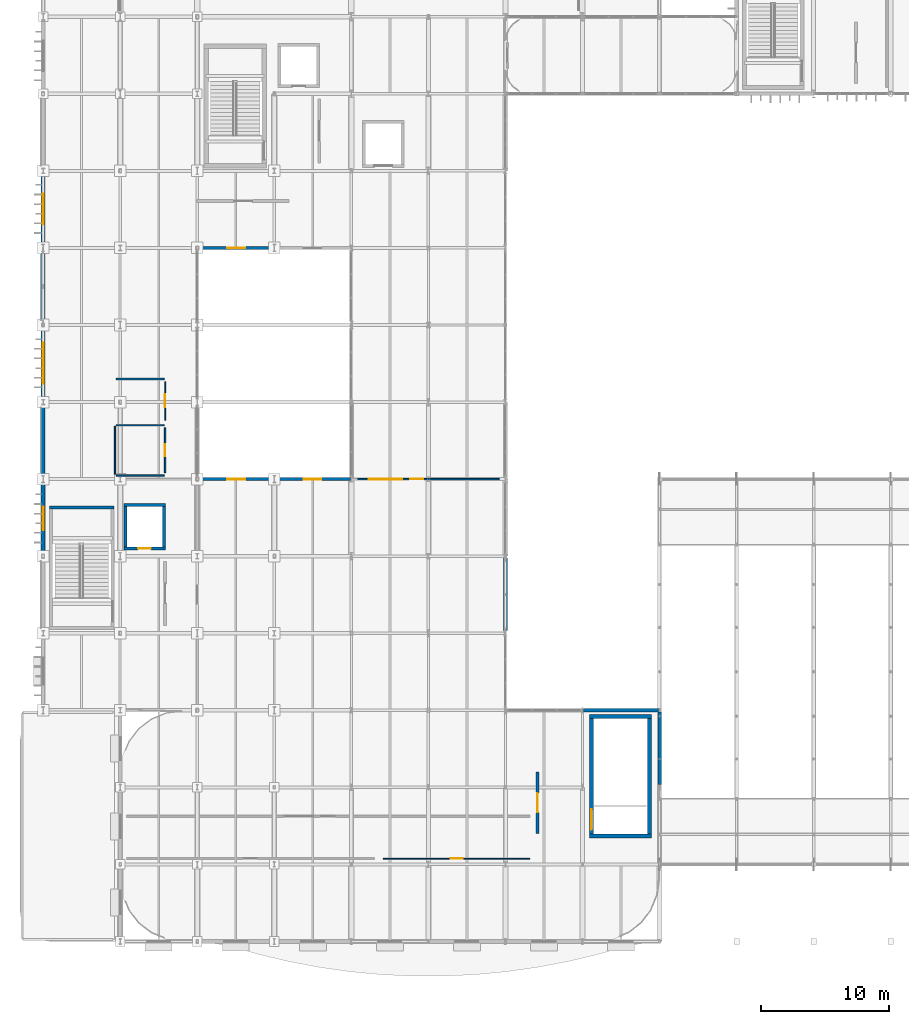
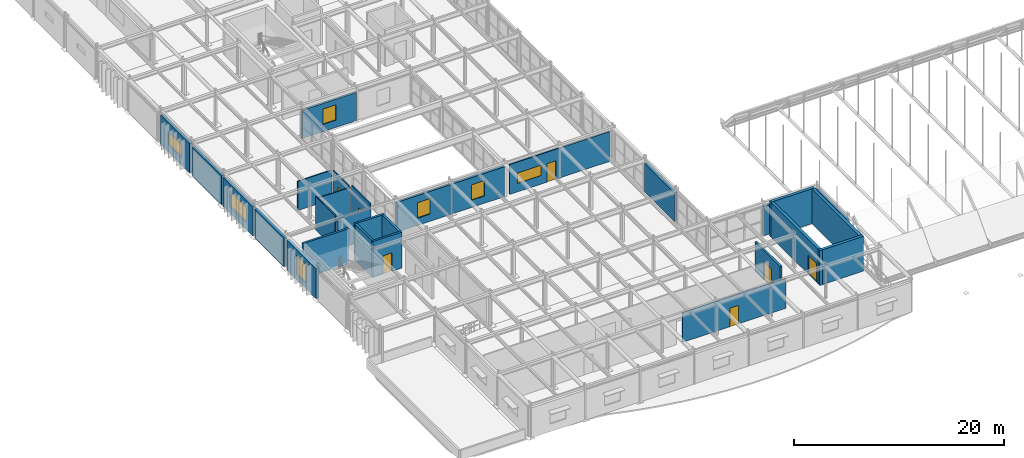
# One storey, part 86 of 116: 29 walls, 7 doors, 7 windows, 14 openings.
"""IFC4 building model written with IfcOpenShell, lengths in metres."""

from ifc_helpers import new_model, si_unit, direction, frame, frame_2d, origin, place, context, subcontext, project, spatial, rectangle, extrude, material, layer, layer_set, type_object, element, fill, save


model = new_model("IFC4")

# Units and contexts
model_context = context("Model", 3, precision=1e-05, world=origin(), true_north=direction((0.0, 1.0)))
body_context = subcontext(model_context, "Body", "Model", "MODEL_VIEW")
ifc_project = project(units=[si_unit("LENGTHUNIT", "METRE"), si_unit("AREAUNIT", "SQUARE_METRE"), si_unit("VOLUMEUNIT", "CUBIC_METRE"), si_unit("PLANEANGLEUNIT", "RADIAN"), si_unit("MASSUNIT", "GRAM", prefix="KILO")], contexts=[model_context])

# Site, building, storey
site_placement = place(None, origin())
site = spatial("IfcSite", under=ifc_project, at=site_placement, CompositionType="ELEMENT")
building_placement = place(site_placement, origin())
building = spatial("IfcBuilding", under=site, at=building_placement, Name="Varnakota Square Police Headquarters", CompositionType="ELEMENT")
storey_placement = place(building_placement, frame((0.0, 0.0, 9.300048828125)))
storey = spatial("IfcBuildingStorey", under=building, at=storey_placement, Name="L02", CompositionType="ELEMENT", Elevation=9.300048828125)

# Wall
ifc_material_1 = material(Name="Concrete M40", Category="concrete")
ifc_layer_1 = layer(ifc_material_1, 0.22998046875, Name="Concrete M40")
ifc_layer_set_1 = layer_set([ifc_layer_1], Name="Concrete M40")
wall_type_1 = type_object("IfcWallType", Name="WL-CORE-230", PredefinedType="SHEAR", material=ifc_layer_set_1)
wall_1_placement = place(storey_placement, frame((11.514892578125, 36.800048828125, 0.0), z_axis=(0.0, 0.0, 1.0), x_axis=(-1.0, 0.0, 0.0)))
element("IfcWall", 1, at=wall_1_placement, inside=storey, type_object=wall_type_1, Name="Core C4 shear wall L02 N", PredefinedType="SHEAR", context=body_context, shape_type="SweptSolid", body=[
    extrude(rectangle(XDim=5.02978515625, YDim=0.22998046875, at=frame_2d((2.514892578125, 0.0))), origin(), (0.0, 0.0, 1.0), 4.06005859375),
])

# Wall, opening, door
wall_2_placement = place(storey_placement, frame((12.284912109375, 33.60009765625, 0.0), z_axis=(0.0, 0.0, 1.0), x_axis=(1.0, 0.0, 0.0)))
wall_2 = element("IfcWall", 2, at=wall_2_placement, inside=storey, type_object=wall_type_1, Name="Lift shaft wall LF-P2 L02 S", PredefinedType="SHEAR", context=body_context, shape_type="SweptSolid", body=[
    extrude(rectangle(XDim=3.22998046875, YDim=0.22998046875, at=frame_2d((1.614990234375, 0.0))), origin(), (0.0, 0.0, 1.0), 4.199951171875),
])
opening_1_placement = place(wall_2_placement, frame((1.114990234375, 0.0, 0.0)))
opening_1 = element("IfcOpeningElement", 3, at=opening_1_placement, cuts=wall_2, Name="Opening LD027", PredefinedType="OPENING", context=body_context, shape_type="SweptSolid", body=[
    extrude(rectangle(XDim=1.0, YDim=2.14990234375, at=frame_2d((0.5, 1.074951171875))), frame((0.0, 0.125, 0.0), z_axis=(0.0, -1.0, 0.0), x_axis=(1.0, 0.0, 0.0)), (0.0, 0.0, 1.0), 0.25),
])
ifc_material_2 = material(Name="Brushed Grade 316 Stainless Steel", Category="steel")
door_type_1 = type_object("IfcDoorType", Name="DR-LD-PAX", OperationType="NOTDEFINED", PredefinedType="DOOR", material=ifc_material_2)
door_1_placement = place(opening_1_placement, origin())
door_1 = element("IfcDoor", 4, at=door_1_placement, inside=storey, type_object=door_type_1, Name="Lift sliding landing door LD027", OperationType="SLIDING_TO_LEFT", OverallHeight=2.14990234375, OverallWidth=1.0, PredefinedType="DOOR", context=body_context, shape_type="SweptSolid", body=[
    extrude(rectangle(XDim=1.0, YDim=2.14990234375, at=frame_2d((0.5, 1.074951171875))), frame((0.0, 0.02490234375, 0.0), z_axis=(0.0, -1.0, 0.0), x_axis=(1.0, 0.0, 0.0)), (0.0, 0.0, 1.0), 0.050048828125),
])
fill(opening_1, door_1)

# Walls
wall_3_placement = place(storey_placement, frame((15.39990234375, 33.485107421875, 0.0), z_axis=(0.0, 0.0, 1.0), x_axis=(0.0, 1.0, 0.0)))
element("IfcWall", 5, at=wall_3_placement, inside=storey, type_object=wall_type_1, Name="Lift shaft wall LF-P2 L02 E", PredefinedType="SHEAR", context=body_context, shape_type="SweptSolid", body=[
    extrude(rectangle(XDim=3.6298828125, YDim=0.22998046875, at=frame_2d((1.81494140625, 0.0))), origin(), (0.0, 0.0, 1.0), 4.199951171875),
])
wall_4_placement = place(storey_placement, frame((15.514892578125, 37.0, 0.0), z_axis=(0.0, 0.0, 1.0), x_axis=(-1.0, 0.0, 0.0)))
element("IfcWall", 6, at=wall_4_placement, inside=storey, type_object=wall_type_1, Name="Lift shaft wall LF-P2 L02 N", PredefinedType="SHEAR", context=body_context, shape_type="SweptSolid", body=[
    extrude(rectangle(XDim=3.22998046875, YDim=0.22998046875, at=frame_2d((1.614990234375, 0.0))), origin(), (0.0, 0.0, 1.0), 4.199951171875),
])
wall_5_placement = place(storey_placement, frame((12.39990234375, 37.114990234375, 0.0), z_axis=(0.0, 0.0, 1.0), x_axis=(0.0, -1.0, 0.0)))
element("IfcWall", 7, at=wall_5_placement, inside=storey, type_object=wall_type_1, Name="Lift shaft wall LF-P2 L02 W", PredefinedType="SHEAR", context=body_context, shape_type="SweptSolid", body=[
    extrude(rectangle(XDim=3.6298828125, YDim=0.22998046875, at=frame_2d((1.81494140625, 0.0))), origin(), (0.0, 0.0, 1.0), 4.199951171875),
])
ifc_material_3 = material(Name="Concrete M50", Category="concrete")
ifc_layer_2 = layer(ifc_material_3, 0.31005859375, Name="Concrete M50")
ifc_layer_set_2 = layer_set([ifc_layer_2], Name="Concrete M50")
wall_type_2 = type_object("IfcWallType", Name="WL-CORE-310", PredefinedType="SHEAR", material=ifc_layer_set_2)
wall_6_placement = place(storey_placement, frame((48.544921875, 11.199951171875, 0.0), z_axis=(0.0, 0.0, 1.0), x_axis=(1.0, 0.0, 0.0)))
element("IfcWall", 8, at=wall_6_placement, inside=storey, type_object=wall_type_2, Name="Core C10 shear wall L02 S", PredefinedType="SHEAR", context=body_context, shape_type="SweptSolid", body=[
    extrude(rectangle(XDim=4.81005859375, YDim=0.31005859375, at=frame_2d((2.405029296875, 0.0))), origin(), (0.0, 0.0, 1.0), 4.06005859375),
])
wall_7_placement = place(storey_placement, frame((53.199951171875, 11.044921875, 0.0), z_axis=(0.0, 0.0, 1.0), x_axis=(0.0, 1.0, 0.0)))
element("IfcWall", 9, at=wall_7_placement, inside=storey, type_object=wall_type_2, Name="Core C10 shear wall L02 E", PredefinedType="SHEAR", context=body_context, shape_type="SweptSolid", body=[
    extrude(rectangle(XDim=9.610107421875, YDim=0.31005859375, at=frame_2d((4.80517578125, 0.0))), origin(), (0.0, 0.0, 1.0), 4.06005859375),
])
wall_8_placement = place(storey_placement, frame((53.35498046875, 20.5, 0.0), z_axis=(0.0, 0.0, 1.0), x_axis=(-1.0, 0.0, 0.0)))
element("IfcWall", 10, at=wall_8_placement, inside=storey, type_object=wall_type_2, Name="Core C10 shear wall L02 N", PredefinedType="SHEAR", context=body_context, shape_type="SweptSolid", body=[
    extrude(rectangle(XDim=4.81005859375, YDim=0.31005859375, at=frame_2d((2.405029296875, 0.0))), origin(), (0.0, 0.0, 1.0), 4.06005859375),
])

# Wall, opening, door
wall_9_placement = place(storey_placement, frame((48.699951171875, 20.655029296875, 0.0), z_axis=(0.0, 0.0, 1.0), x_axis=(0.0, -1.0, 0.0)))
wall_9 = element("IfcWall", 11, at=wall_9_placement, inside=storey, type_object=wall_type_2, Name="Core C10 shear wall L02 W", PredefinedType="SHEAR", context=body_context, shape_type="SweptSolid", body=[
    extrude(rectangle(XDim=9.610107421875, YDim=0.31005859375, at=frame_2d((4.80517578125, 0.0))), origin(), (0.0, 0.0, 1.0), 4.06005859375),
])
opening_2_placement = place(wall_9_placement, frame((7.375, 0.0, 0.0)))
opening_2 = element("IfcOpeningElement", 12, at=opening_2_placement, cuts=wall_9, Name="Opening SD133", PredefinedType="OPENING", context=body_context, shape_type="SweptSolid", body=[
    extrude(rectangle(XDim=1.60009765625, YDim=2.199951171875, at=frame_2d((0.800048828125, 1.10009765625))), frame((0.0, 0.1650390625, 0.0), z_axis=(0.0, -1.0, 0.0), x_axis=(1.0, 0.0, 0.0)), (0.0, 0.0, 1.0), 0.330078125),
])
ifc_material_4 = material(Name="Powder-Coated Galvanised Steel", Category="steel")
door_type_2 = type_object("IfcDoorType", Name="DR-ST-160", OperationType="NOTDEFINED", PredefinedType="DOOR", material=ifc_material_4)
door_2_placement = place(opening_2_placement, origin())
door_2 = element("IfcDoor", 13, at=door_2_placement, inside=storey, type_object=door_type_2, Name="Protected stair door SD133", OperationType="DOUBLE_DOOR_SINGLE_SWING", OverallHeight=2.199951171875, OverallWidth=1.60009765625, PredefinedType="DOOR", context=body_context, shape_type="SweptSolid", body=[
    extrude(rectangle(XDim=1.60009765625, YDim=2.199951171875, at=frame_2d((0.800048828125, 1.10009765625))), frame((0.0, 0.02490234375, 0.0), z_axis=(0.0, -1.0, 0.0), x_axis=(1.0, 0.0, 0.0)), (0.0, 0.0, 1.0), 0.050048828125),
])
fill(opening_2, door_2)

# Wall, opening, window
ifc_layer_3 = layer(ifc_material_1, 0.239990234375, Name="Concrete M40")
ifc_layer_set_3 = layer_set([ifc_layer_3], Name="Concrete M40")
wall_type_3 = type_object("IfcWallType", Name="WL-EXT-240", PredefinedType="SOLIDWALL", material=ifc_layer_set_3)
wall_10_placement = place(storey_placement, frame((18.050048828125, 39.0, 0.0), z_axis=(0.0, 0.0, 1.0), x_axis=(1.0, 0.0, 0.0)))
wall_10 = element("IfcWall", 14, at=wall_10_placement, inside=storey, type_object=wall_type_3, Name="Court exterior wall EW-L02-0422", PredefinedType="SOLIDWALL", context=body_context, shape_type="SweptSolid", body=[
    extrude(rectangle(XDim=5.949951171875, YDim=0.239990234375, at=frame_2d((2.97509765625, 0.0))), origin(), (0.0, 0.0, 1.0), 3.483642578125),
])
opening_3_placement = place(wall_10_placement, frame((2.27490234375, 0.0, 0.85009765625)))
opening_3 = element("IfcOpeningElement", 15, at=opening_3_placement, cuts=wall_10, Name="Opening W16", PredefinedType="OPENING", context=body_context, shape_type="SweptSolid", body=[
    extrude(rectangle(XDim=1.39990234375, YDim=1.800048828125, at=frame_2d((0.699951171875, 0.89990234375))), frame((0.0, 0.1298828125, 0.0), z_axis=(0.0, -1.0, 0.0), x_axis=(1.0, 0.0, 0.0)), (0.0, 0.0, 1.0), 0.260009765625),
])
ifc_material_5 = material(Name="Thermally Broken Aluminium Double-Glazed Window", Category="aluminium")
window_type_1 = type_object("IfcWindowType", Name="WIN-16", PartitioningType="SINGLE_PANEL", PredefinedType="WINDOW", material=ifc_material_5)
window_1_placement = place(opening_3_placement, origin())
window_1 = element("IfcWindow", 16, at=window_1_placement, inside=storey, type_object=window_type_1, Name="Window WN-L02-0085", OverallHeight=1.800048828125, OverallWidth=1.39990234375, PartitioningType="SINGLE_PANEL", PredefinedType="WINDOW", context=body_context, shape_type="SweptSolid", body=[
    extrude(rectangle(XDim=1.39990234375, YDim=1.800048828125, at=frame_2d((0.699951171875, 0.89990234375))), frame((0.0, 0.030029296875, 0.0), z_axis=(0.0, -1.0, 0.0), x_axis=(1.0, 0.0, 0.0)), (0.0, 0.0, 1.0), 0.06005859375),
])
fill(opening_3, window_1)

wall_11_placement = place(storey_placement, frame((18.050048828125, 57.0, 0.0), z_axis=(0.0, 0.0, 1.0), x_axis=(1.0, 0.0, 0.0)))
wall_11 = element("IfcWall", 17, at=wall_11_placement, inside=storey, type_object=wall_type_3, Name="Court exterior wall EW-L02-0423", PredefinedType="SOLIDWALL", context=body_context, shape_type="SweptSolid", body=[
    extrude(rectangle(XDim=5.949951171875, YDim=0.239990234375, at=frame_2d((2.97509765625, 0.0))), origin(), (0.0, 0.0, 1.0), 3.2900390625),
])
opening_4_placement = place(wall_11_placement, frame((2.27490234375, 0.0, 0.85009765625)))
opening_4 = element("IfcOpeningElement", 18, at=opening_4_placement, cuts=wall_11, Name="Opening W16", PredefinedType="OPENING", context=body_context, shape_type="SweptSolid", body=[
    extrude(rectangle(XDim=1.39990234375, YDim=1.800048828125, at=frame_2d((0.699951171875, 0.89990234375))), frame((0.0, 0.1298828125, 0.0), z_axis=(0.0, -1.0, 0.0), x_axis=(1.0, 0.0, 0.0)), (0.0, 0.0, 1.0), 0.260009765625),
])
window_2_placement = place(opening_4_placement, origin())
window_2 = element("IfcWindow", 19, at=window_2_placement, inside=storey, type_object=window_type_1, Name="Window WN-L02-0086", OverallHeight=1.800048828125, OverallWidth=1.39990234375, PartitioningType="SINGLE_PANEL", PredefinedType="WINDOW", context=body_context, shape_type="SweptSolid", body=[
    extrude(rectangle(XDim=1.39990234375, YDim=1.800048828125, at=frame_2d((0.699951171875, 0.89990234375))), frame((0.0, 0.030029296875, 0.0), z_axis=(0.0, -1.0, 0.0), x_axis=(1.0, 0.0, 0.0)), (0.0, 0.0, 1.0), 0.06005859375),
])
fill(opening_4, window_2)

wall_12_placement = place(storey_placement, frame((24.0, 39.0, 0.0), z_axis=(0.0, 0.0, 1.0), x_axis=(1.0, 0.0, 0.0)))
wall_12 = element("IfcWall", 20, at=wall_12_placement, inside=storey, type_object=wall_type_3, Name="Court exterior wall EW-L02-0424", PredefinedType="SOLIDWALL", context=body_context, shape_type="SweptSolid", body=[
    extrude(rectangle(XDim=5.949951171875, YDim=0.239990234375, at=frame_2d((2.97509765625, 0.0))), origin(), (0.0, 0.0, 1.0), 3.483642578125),
])
opening_5_placement = place(wall_12_placement, frame((2.27490234375, 0.0, 0.85009765625)))
opening_5 = element("IfcOpeningElement", 21, at=opening_5_placement, cuts=wall_12, Name="Opening W16", PredefinedType="OPENING", context=body_context, shape_type="SweptSolid", body=[
    extrude(rectangle(XDim=1.39990234375, YDim=1.800048828125, at=frame_2d((0.699951171875, 0.89990234375))), frame((0.0, 0.1298828125, 0.0), z_axis=(0.0, -1.0, 0.0), x_axis=(1.0, 0.0, 0.0)), (0.0, 0.0, 1.0), 0.260009765625),
])
window_3_placement = place(opening_5_placement, origin())
window_3 = element("IfcWindow", 22, at=window_3_placement, inside=storey, type_object=window_type_1, Name="Window WN-L02-0087", OverallHeight=1.800048828125, OverallWidth=1.39990234375, PartitioningType="SINGLE_PANEL", PredefinedType="WINDOW", context=body_context, shape_type="SweptSolid", body=[
    extrude(rectangle(XDim=1.39990234375, YDim=1.800048828125, at=frame_2d((0.699951171875, 0.89990234375))), frame((0.0, 0.030029296875, 0.0), z_axis=(0.0, -1.0, 0.0), x_axis=(1.0, 0.0, 0.0)), (0.0, 0.0, 1.0), 0.06005859375),
])
fill(opening_5, window_3)

# Walls
ifc_layer_4 = layer(ifc_material_1, 0.280029296875, Name="Concrete M40")
ifc_layer_set_4 = layer_set([ifc_layer_4], Name="Concrete M40")
wall_type_4 = type_object("IfcWallType", Name="WL-EXT-280", PredefinedType="SOLIDWALL", material=ifc_layer_set_4)
wall_13_placement = place(storey_placement, frame((48.073974609375, 21.0, 0.0), z_axis=(0.0, 0.0, 1.0), x_axis=(1.0, 0.0, 0.0)))
element("IfcWall", 23, at=wall_13_placement, inside=storey, type_object=wall_type_4, Name="Exterior wall EW-L02-0099", PredefinedType="SOLIDWALL", context=body_context, shape_type="SweptSolid", body=[
    extrude(rectangle(XDim=5.846923828125, YDim=0.280029296875, at=frame_2d((2.92333984375, 0.0))), origin(), (0.0, 0.0, 1.0), 3.389892578125),
])
wall_14_placement = place(storey_placement, frame((54.0, 15.2041015625, 0.0), z_axis=(0.0, 0.0, 1.0), x_axis=(0.0, 1.0, 0.0)))
element("IfcWall", 24, at=wall_14_placement, inside=storey, type_object=wall_type_4, Name="Exterior wall EW-L02-0103", PredefinedType="SOLIDWALL", context=body_context, shape_type="SweptSolid", body=[
    extrude(rectangle(XDim=5.6669921875, YDim=0.280029296875, at=frame_2d((2.83349609375, 0.0))), origin(), (0.0, 0.0, 1.0), 3.389892578125),
])
wall_15_placement = place(storey_placement, frame((42.0, 27.2041015625, 0.0), z_axis=(0.0, 0.0, 1.0), x_axis=(0.0, 1.0, 0.0)))
element("IfcWall", 25, at=wall_15_placement, inside=storey, type_object=wall_type_4, Name="Exterior wall EW-L02-0414", PredefinedType="SOLIDWALL", context=body_context, shape_type="SweptSolid", body=[
    extrude(rectangle(XDim=5.641845703125, YDim=0.280029296875, at=frame_2d((2.82080078125, 0.0))), origin(), (0.0, 0.0, 1.0), 3.33984375),
])

# Wall, opening, window
ifc_material_6 = material(Name="Precast concrete M40", Category="concrete")
ifc_layer_5 = layer(ifc_material_6, 0.320068359375, Name="Precast concrete M40")
ifc_layer_set_5 = layer_set([ifc_layer_5], Name="Precast concrete M40")
wall_type_5 = type_object("IfcWallType", Name="WL-EXT-320", PredefinedType="SOLIDWALL", material=ifc_layer_set_5)
wall_16_placement = place(storey_placement, frame((6.0, 33.154052734375, 0.0), z_axis=(0.0, 0.0, 1.0), x_axis=(0.0, 1.0, 0.0)))
wall_16 = element("IfcWall", 26, at=wall_16_placement, inside=storey, type_object=wall_type_5, Name="Exterior wall EW-L02-0415", PredefinedType="SOLIDWALL", context=body_context, shape_type="SweptSolid", body=[
    extrude(rectangle(XDim=5.56689453125, YDim=0.320068359375, at=frame_2d((2.783447265625, 0.0))), origin(), (0.0, 0.0, 1.0), 3.483642578125),
])
opening_6_placement = place(wall_16_placement, frame((1.883544921875, 0.0, 0.60009765625)))
opening_6 = element("IfcOpeningElement", 27, at=opening_6_placement, cuts=wall_16, Name="Opening W11", PredefinedType="OPENING", context=body_context, shape_type="SweptSolid", body=[
    extrude(rectangle(XDim=1.800048828125, YDim=2.199951171875, at=frame_2d((0.89990234375, 1.10009765625))), frame((0.0, 0.169921875, 0.0), z_axis=(0.0, -1.0, 0.0), x_axis=(1.0, 0.0, 0.0)), (0.0, 0.0, 1.0), 0.340087890625),
])
window_type_2 = type_object("IfcWindowType", Name="WIN-11", PartitioningType="SINGLE_PANEL", PredefinedType="WINDOW", material=ifc_material_5)
window_4_placement = place(opening_6_placement, origin())
window_4 = element("IfcWindow", 28, at=window_4_placement, inside=storey, type_object=window_type_2, Name="Window WN-L02-0081", OverallHeight=2.199951171875, OverallWidth=1.800048828125, PartitioningType="SINGLE_PANEL", PredefinedType="WINDOW", context=body_context, shape_type="SweptSolid", body=[
    extrude(rectangle(XDim=1.800048828125, YDim=2.199951171875, at=frame_2d((0.89990234375, 1.10009765625))), frame((0.0, 0.030029296875, 0.0), z_axis=(0.0, -1.0, 0.0), x_axis=(1.0, 0.0, 0.0)), (0.0, 0.0, 1.0), 0.06005859375),
])
fill(opening_6, window_4)

# Wall
wall_17_placement = place(storey_placement, frame((6.0, 39.279052734375, 0.0), z_axis=(0.0, 0.0, 1.0), x_axis=(0.0, 1.0, 0.0)))
element("IfcWall", 29, at=wall_17_placement, inside=storey, type_object=wall_type_5, Name="Exterior wall EW-L02-0416", PredefinedType="SOLIDWALL", context=body_context, shape_type="SweptSolid", body=[
    extrude(rectangle(XDim=5.516845703125, YDim=0.320068359375, at=frame_2d((2.75830078125, 0.0))), origin(), (0.0, 0.0, 1.0), 3.389892578125),
])

# Wall, opening, window
wall_18_placement = place(storey_placement, frame((6.0, 45.2041015625, 0.0), z_axis=(0.0, 0.0, 1.0), x_axis=(0.0, 1.0, 0.0)))
wall_18 = element("IfcWall", 30, at=wall_18_placement, inside=storey, type_object=wall_type_5, Name="Exterior wall EW-L02-0417", PredefinedType="SOLIDWALL", context=body_context, shape_type="SweptSolid", body=[
    extrude(rectangle(XDim=5.641845703125, YDim=0.320068359375, at=frame_2d((2.82080078125, 0.0))), origin(), (0.0, 0.0, 1.0), 3.389892578125),
])
opening_7_placement = place(wall_18_placement, frame((1.220947265625, 0.0, 0.800048828125)))
opening_7 = element("IfcOpeningElement", 31, at=opening_7_placement, cuts=wall_18, Name="Opening W15", PredefinedType="OPENING", context=body_context, shape_type="SweptSolid", body=[
    extrude(rectangle(XDim=3.199951171875, YDim=1.800048828125, at=frame_2d((1.60009765625, 0.89990234375))), frame((0.0, 0.169921875, 0.0), z_axis=(0.0, -1.0, 0.0), x_axis=(1.0, 0.0, 0.0)), (0.0, 0.0, 1.0), 0.340087890625),
])
window_type_3 = type_object("IfcWindowType", Name="WIN-15", PartitioningType="SINGLE_PANEL", PredefinedType="WINDOW", material=ifc_material_5)
window_5_placement = place(opening_7_placement, origin())
window_5 = element("IfcWindow", 32, at=window_5_placement, inside=storey, type_object=window_type_3, Name="Window WN-L02-0082", OverallHeight=1.800048828125, OverallWidth=3.199951171875, PartitioningType="SINGLE_PANEL", PredefinedType="WINDOW", context=body_context, shape_type="SweptSolid", body=[
    extrude(rectangle(XDim=3.199951171875, YDim=1.800048828125, at=frame_2d((1.60009765625, 0.89990234375))), frame((0.0, 0.030029296875, 0.0), z_axis=(0.0, -1.0, 0.0), x_axis=(1.0, 0.0, 0.0)), (0.0, 0.0, 1.0), 0.06005859375),
])
fill(opening_7, window_5)

# Wall
wall_19_placement = place(storey_placement, frame((6.0, 51.154052734375, 0.0), z_axis=(0.0, 0.0, 1.0), x_axis=(0.0, 1.0, 0.0)))
element("IfcWall", 33, at=wall_19_placement, inside=storey, type_object=wall_type_5, Name="Exterior wall EW-L02-0418", PredefinedType="SOLIDWALL", context=body_context, shape_type="SweptSolid", body=[
    extrude(rectangle(XDim=5.56689453125, YDim=0.320068359375, at=frame_2d((2.783447265625, 0.0))), origin(), (0.0, 0.0, 1.0), 3.389892578125),
])

# Wall, opening, window
wall_20_placement = place(storey_placement, frame((6.0, 57.279052734375, 0.0), z_axis=(0.0, 0.0, 1.0), x_axis=(0.0, 1.0, 0.0)))
wall_20 = element("IfcWall", 34, at=wall_20_placement, inside=storey, type_object=wall_type_5, Name="Exterior wall EW-L02-0419", PredefinedType="SOLIDWALL", context=body_context, shape_type="SweptSolid", body=[
    extrude(rectangle(XDim=5.516845703125, YDim=0.320068359375, at=frame_2d((2.75830078125, 0.0))), origin(), (0.0, 0.0, 1.0), 3.43994140625),
])
opening_8_placement = place(wall_20_placement, frame((1.55859375, 0.0, 0.89990234375)))
opening_8 = element("IfcOpeningElement", 35, at=opening_8_placement, cuts=wall_20, Name="Opening W02", PredefinedType="OPENING", context=body_context, shape_type="SweptSolid", body=[
    extrude(rectangle(XDim=2.39990234375, YDim=1.5, at=frame_2d((1.199951171875, 0.75))), frame((0.0, 0.169921875, 0.0), z_axis=(0.0, -1.0, 0.0), x_axis=(1.0, 0.0, 0.0)), (0.0, 0.0, 1.0), 0.340087890625),
])
window_type_4 = type_object("IfcWindowType", Name="WIN-02", PartitioningType="SINGLE_PANEL", PredefinedType="WINDOW", material=ifc_material_5)
window_6_placement = place(opening_8_placement, origin())
window_6 = element("IfcWindow", 36, at=window_6_placement, inside=storey, type_object=window_type_4, Name="Window WN-L02-0083", OverallHeight=1.5, OverallWidth=2.39990234375, PartitioningType="SINGLE_PANEL", PredefinedType="WINDOW", context=body_context, shape_type="SweptSolid", body=[
    extrude(rectangle(XDim=2.39990234375, YDim=1.5, at=frame_2d((1.199951171875, 0.75))), frame((0.0, 0.030029296875, 0.0), z_axis=(0.0, -1.0, 0.0), x_axis=(1.0, 0.0, 0.0)), (0.0, 0.0, 1.0), 0.06005859375),
])
fill(opening_8, window_6)

# Wall, opening, door
ifc_material_7 = material(Name="Lightweight Demountable Office Partition", Category="gypsum")
ifc_layer_6 = layer(ifc_material_7, 0.094970703125, Name="Lightweight Demountable Office Partition")
ifc_layer_set_6 = layer_set([ifc_layer_6], Name="Lightweight Demountable Office Partition")
wall_type_6 = type_object("IfcWallType", Name="WL-PRT-095", PredefinedType="PARTITIONING", material=ifc_layer_set_6)
wall_21_placement = place(storey_placement, frame((15.5, 46.60009765625, 0.0), z_axis=(0.0, 0.0, 1.0), x_axis=(0.0, -1.0, 0.0)))
wall_21 = element("IfcWall", 37, at=wall_21_placement, inside=storey, type_object=wall_type_6, Name="Interior partition PW-L02-0131 (L02 Accessible WC West)", PredefinedType="PARTITIONING", context=body_context, shape_type="SweptSolid", body=[
    extrude(rectangle(XDim=3.0, YDim=0.094970703125, at=frame_2d((1.5, 0.0))), origin(), (0.0, 0.0, 1.0), 3.489990234375),
])
opening_9_placement = place(wall_21_placement, frame((1.0, 0.0, 0.0)))
opening_9 = element("IfcOpeningElement", 38, at=opening_9_placement, cuts=wall_21, Name="Opening D218", PredefinedType="OPENING", context=body_context, shape_type="SweptSolid", body=[
    extrude(rectangle(XDim=1.0, YDim=2.10009765625, at=frame_2d((0.5, 1.050048828125))), frame((0.0, 0.057373046875, 0.0), z_axis=(0.0, -1.0, 0.0), x_axis=(1.0, 0.0, 0.0)), (0.0, 0.0, 1.0), 0.114990234375),
])
ifc_material_8 = material(Name="Antimicrobial High-Pressure Compact Laminate")
door_type_3 = type_object("IfcDoorType", Name="DR-WCA-100", OperationType="NOTDEFINED", PredefinedType="DOOR", material=ifc_material_8)
door_3_placement = place(opening_9_placement, origin())
door_3 = element("IfcDoor", 39, at=door_3_placement, inside=storey, type_object=door_type_3, Name="Room door D218 (L02 Accessible WC West)", OperationType="SINGLE_SWING_LEFT", OverallHeight=2.10009765625, OverallWidth=1.0, PredefinedType="DOOR", context=body_context, shape_type="SweptSolid", body=[
    extrude(rectangle(XDim=1.0, YDim=2.10009765625, at=frame_2d((0.5, 1.050048828125))), frame((0.0, 0.02490234375, 0.0), z_axis=(0.0, -1.0, 0.0), x_axis=(1.0, 0.0, 0.0)), (0.0, 0.0, 1.0), 0.050048828125),
])
fill(opening_9, door_3)

wall_22_placement = place(storey_placement, frame((32.5, 9.449951171875, 0.0), z_axis=(0.0, 0.0, 1.0), x_axis=(1.0, 0.0, 0.0)))
wall_22 = element("IfcWall", 40, at=wall_22_placement, inside=storey, type_object=wall_type_6, Name="Interior partition PW-L02-0133 (Citizen Information and Gazette Office)", PredefinedType="PARTITIONING", context=body_context, shape_type="SweptSolid", body=[
    extrude(rectangle(XDim=11.39990234375, YDim=0.094970703125, at=frame_2d((5.699951171875, 0.0))), origin(), (0.0, 0.0, 1.0), 3.489990234375),
])
opening_10_placement = place(wall_22_placement, frame((5.22509765625, 0.0, 0.0)))
opening_10 = element("IfcOpeningElement", 41, at=opening_10_placement, cuts=wall_22, Name="Opening D220", PredefinedType="OPENING", context=body_context, shape_type="SweptSolid", body=[
    extrude(rectangle(XDim=0.949951171875, YDim=2.14990234375, at=frame_2d((0.47509765625, 1.074951171875))), frame((0.0, 0.057373046875, 0.0), z_axis=(0.0, -1.0, 0.0), x_axis=(1.0, 0.0, 0.0)), (0.0, 0.0, 1.0), 0.114990234375),
])
ifc_material_9 = material(Name="Solid-Core Teak Veneer Hardwood", Category="wood")
door_type_4 = type_object("IfcDoorType", Name="DR-OFF-095", OperationType="NOTDEFINED", PredefinedType="DOOR", material=ifc_material_9)
door_4_placement = place(opening_10_placement, origin())
door_4 = element("IfcDoor", 42, at=door_4_placement, inside=storey, type_object=door_type_4, Name="Room door D220 (Citizen Information and Gazette Office)", OperationType="SINGLE_SWING_LEFT", OverallHeight=2.14990234375, OverallWidth=0.949951171875, PredefinedType="DOOR", context=body_context, shape_type="SweptSolid", body=[
    extrude(rectangle(XDim=0.949951171875, YDim=2.14990234375, at=frame_2d((0.47509765625, 1.074951171875))), frame((0.0, 0.02490234375, 0.0), z_axis=(0.0, -1.0, 0.0), x_axis=(1.0, 0.0, 0.0)), (0.0, 0.0, 1.0), 0.050048828125),
])
fill(opening_10, door_4)

# Walls
wall_23_placement = place(storey_placement, frame((11.679931640625, 43.199951171875, 0.0), z_axis=(0.0, 0.0, 1.0), x_axis=(1.0, 0.0, 0.0)))
element("IfcWall", 43, at=wall_23_placement, inside=storey, type_object=wall_type_6, Name="Interior dividing partition PW-L02-0162 (L02 Forensic Staff Washroom WC)", PredefinedType="PARTITIONING", context=body_context, shape_type="SweptSolid", body=[
    extrude(rectangle(XDim=3.739990234375, YDim=0.094970703125, at=frame_2d((1.8701171875, 0.0))), origin(), (0.0, 0.0, 1.0), 3.566162109375),
])
ifc_material_10 = material(Name="Glazed Clean-Lab Modular Partition", Category="gypsum")
ifc_layer_7 = layer(ifc_material_10, 0.10498046875, Name="Glazed Clean-Lab Modular Partition")
ifc_layer_set_7 = layer_set([ifc_layer_7], Name="Glazed Clean-Lab Modular Partition")
wall_type_7 = type_object("IfcWallType", Name="WL-PRT-105", PredefinedType="PARTITIONING", material=ifc_layer_set_7)
wall_24_placement = place(storey_placement, frame((11.60009765625, 39.3798828125, 0.0), z_axis=(0.0, 0.0, 1.0), x_axis=(0.0, 1.0, 0.0)))
element("IfcWall", 44, at=wall_24_placement, inside=storey, type_object=wall_type_7, Name="Interior dividing partition PW-L02-0161 (L02 Forensic Staff Washroom WC)", PredefinedType="PARTITIONING", context=body_context, shape_type="SweptSolid", body=[
    extrude(rectangle(XDim=3.740234375, YDim=0.10498046875, at=frame_2d((1.8701171875, 0.0))), origin(), (0.0, 0.0, 1.0), 3.889892578125),
])

# Wall, opening, door
ifc_material_11 = material(Name="Moisture-Resistant Tile-Backed Partition", Category="gypsum")
ifc_layer_8 = layer(ifc_material_11, 0.114990234375, Name="Moisture-Resistant Tile-Backed Partition")
ifc_layer_set_8 = layer_set([ifc_layer_8], Name="Moisture-Resistant Tile-Backed Partition")
wall_type_8 = type_object("IfcWallType", Name="WL-PRT-115", PredefinedType="PARTITIONING", material=ifc_layer_set_8)
wall_25_placement = place(storey_placement, frame((15.5, 43.0, 0.0), z_axis=(0.0, 0.0, 1.0), x_axis=(0.0, -1.0, 0.0)))
wall_25 = element("IfcWall", 45, at=wall_25_placement, inside=storey, type_object=wall_type_8, Name="Interior partition PW-L02-0130 (L02 Forensic Staff Washroom WC)", PredefinedType="PARTITIONING", context=body_context, shape_type="SweptSolid", body=[
    extrude(rectangle(XDim=3.5, YDim=0.114990234375, at=frame_2d((1.75, 0.0))), origin(), (0.0, 0.0, 1.0), 3.889892578125),
])
opening_11_placement = place(wall_25_placement, frame((1.300048828125, 0.0, 0.0)))
opening_11 = element("IfcOpeningElement", 46, at=opening_11_placement, cuts=wall_25, Name="Opening D217", PredefinedType="OPENING", context=body_context, shape_type="SweptSolid", body=[
    extrude(rectangle(XDim=0.89990234375, YDim=2.10009765625, at=frame_2d((0.449951171875, 1.050048828125))), frame((0.0, 0.0673828125, 0.0), z_axis=(0.0, -1.0, 0.0), x_axis=(1.0, 0.0, 0.0)), (0.0, 0.0, 1.0), 0.135009765625),
])
ifc_material_12 = material(Name="High-Pressure Moisture-Resistant Compact Laminate")
door_type_5 = type_object("IfcDoorType", Name="DR-WC-090", OperationType="NOTDEFINED", PredefinedType="DOOR", material=ifc_material_12)
door_5_placement = place(opening_11_placement, origin())
door_5 = element("IfcDoor", 47, at=door_5_placement, inside=storey, type_object=door_type_5, Name="Room door D217 (L02 Forensic Staff Washroom WC)", OperationType="SINGLE_SWING_RIGHT", OverallHeight=2.10009765625, OverallWidth=0.89990234375, PredefinedType="DOOR", context=body_context, shape_type="SweptSolid", body=[
    extrude(rectangle(XDim=0.89990234375, YDim=2.10009765625, at=frame_2d((0.449951171875, 1.050048828125))), frame((0.0, 0.02490234375, 0.0), z_axis=(0.0, -1.0, 0.0), x_axis=(1.0, 0.0, 0.0)), (0.0, 0.0, 1.0), 0.050048828125),
])
fill(opening_11, door_5)

# Wall
wall_26_placement = place(storey_placement, frame((15.419921875, 39.300048828125, 0.0), z_axis=(0.0, 0.0, 1.0), x_axis=(-1.0, 0.0, 0.0)))
element("IfcWall", 48, at=wall_26_placement, inside=storey, type_object=wall_type_8, Name="Interior dividing partition PW-L02-0160 (L02 Forensic Staff Washroom WC)", PredefinedType="PARTITIONING", context=body_context, shape_type="SweptSolid", body=[
    extrude(rectangle(XDim=3.739990234375, YDim=0.114990234375, at=frame_2d((1.8701171875, 0.0))), origin(), (0.0, 0.0, 1.0), 3.483642578125),
])

# Wall, openings, door, window
ifc_material_13 = material(Name="Acoustic Insulated Metal-Stud Partition", Category="gypsum")
ifc_layer_9 = layer(ifc_material_13, 0.125, Name="Acoustic Insulated Metal-Stud Partition")
ifc_layer_set_9 = layer_set([ifc_layer_9], Name="Acoustic Insulated Metal-Stud Partition")
wall_type_9 = type_object("IfcWallType", Name="WL-PRT-125", PredefinedType="PARTITIONING", material=ifc_layer_set_9)
wall_27_placement = place(storey_placement, frame((41.5, 39.0, 0.0), z_axis=(0.0, 0.0, 1.0), x_axis=(-1.0, 0.0, 0.0)))
wall_27 = element("IfcWall", 49, at=wall_27_placement, inside=storey, type_object=wall_type_9, Name="Interior partition PW-L02-0144 (Forensic Case Records Archive)", PredefinedType="PARTITIONING", context=body_context, shape_type="SweptSolid", body=[
    extrude(rectangle(XDim=11.0, YDim=0.125, at=frame_2d((5.5, 0.0))), origin(), (0.0, 0.0, 1.0), 3.483642578125),
])
opening_12_placement = place(wall_27_placement, frame((5.89990234375, 0.0, 0.0)))
opening_12 = element("IfcOpeningElement", 50, at=opening_12_placement, cuts=wall_27, Name="Opening D231", PredefinedType="OPENING", context=body_context, shape_type="SweptSolid", body=[
    extrude(rectangle(XDim=1.0, YDim=2.14990234375, at=frame_2d((0.5, 1.074951171875))), frame((0.0, 0.072509765625, 0.0), z_axis=(0.0, -1.0, 0.0), x_axis=(1.0, 0.0, 0.0)), (0.0, 0.0, 1.0), 0.14501953125),
])
opening_13_placement = place(wall_27_placement, frame((7.550048828125, 0.0, 1.0)))
opening_13 = element("IfcOpeningElement", 51, at=opening_13_placement, cuts=wall_27, Name="Opening IW02", PredefinedType="OPENING", context=body_context, shape_type="SweptSolid", body=[
    extrude(rectangle(XDim=2.60009765625, YDim=1.199951171875, at=frame_2d((1.300048828125, 0.60009765625))), frame((0.0, 0.072509765625, 0.0), z_axis=(0.0, -1.0, 0.0), x_axis=(1.0, 0.0, 0.0)), (0.0, 0.0, 1.0), 0.14501953125),
])
door_type_6 = type_object("IfcDoorType", Name="DR-OFF-100", OperationType="NOTDEFINED", PredefinedType="DOOR", material=ifc_material_9)
door_6_placement = place(opening_12_placement, origin())
door_6 = element("IfcDoor", 52, at=door_6_placement, inside=storey, type_object=door_type_6, Name="Room door D231 (Forensic Case Records Archive)", OperationType="SINGLE_SWING_RIGHT", OverallHeight=2.14990234375, OverallWidth=1.0, PredefinedType="DOOR", context=body_context, shape_type="SweptSolid", body=[
    extrude(rectangle(XDim=1.0, YDim=2.14990234375, at=frame_2d((0.5, 1.074951171875))), frame((0.0, 0.02490234375, 0.0), z_axis=(0.0, -1.0, 0.0), x_axis=(1.0, 0.0, 0.0)), (0.0, 0.0, 1.0), 0.050048828125),
])
fill(opening_12, door_6)
ifc_material_14 = material(Name="Acoustic Laminated Interior Vision Glazing", Category="glass")
window_type_5 = type_object("IfcWindowType", Name="WIN-INT-02", PartitioningType="SINGLE_PANEL", PredefinedType="WINDOW", material=ifc_material_14)
window_7_placement = place(opening_13_placement, origin())
window_7 = element("IfcWindow", 53, at=window_7_placement, inside=storey, type_object=window_type_5, Name="Interior observation window IWN-L02-026", OverallHeight=1.199951171875, OverallWidth=2.60009765625, PartitioningType="SINGLE_PANEL", PredefinedType="WINDOW", context=body_context, shape_type="SweptSolid", body=[
    extrude(rectangle(XDim=2.60009765625, YDim=1.199951171875, at=frame_2d((1.300048828125, 0.60009765625))), frame((0.0, 0.030029296875, 0.0), z_axis=(0.0, -1.0, 0.0), x_axis=(1.0, 0.0, 0.0)), (0.0, 0.0, 1.0), 0.06005859375),
])
fill(opening_13, window_7)

# Wall
wall_28_placement = place(storey_placement, frame((11.679931640625, 46.800048828125, 0.0), z_axis=(0.0, 0.0, 1.0), x_axis=(1.0, 0.0, 0.0)))
element("IfcWall", 54, at=wall_28_placement, inside=storey, type_object=wall_type_9, Name="Interior dividing partition PW-L02-0163 (L02 Accessible WC West)", PredefinedType="PARTITIONING", context=body_context, shape_type="SweptSolid", body=[
    extrude(rectangle(XDim=3.739990234375, YDim=0.125, at=frame_2d((1.8701171875, 0.0))), origin(), (0.0, 0.0, 1.0), 3.389892578125),
])

# Wall, opening, door
ifc_layer_10 = layer(ifc_material_1, 0.215087890625, Name="Concrete M40")
ifc_layer_set_10 = layer_set([ifc_layer_10], Name="Concrete M40")
wall_type_10 = type_object("IfcWallType", Name="WL-PRT-215F", PredefinedType="PARTITIONING", material=ifc_layer_set_10)
wall_29_placement = place(storey_placement, frame((44.5, 11.39990234375, 0.0), z_axis=(0.0, 0.0, 1.0), x_axis=(0.0, 1.0, 0.0)))
wall_29 = element("IfcWall", 55, at=wall_29_placement, inside=storey, type_object=wall_type_10, Name="Core C10 lobby fire partition L02", PredefinedType="PARTITIONING", context=body_context, shape_type="SweptSolid", body=[
    extrude(rectangle(XDim=4.800048828125, YDim=0.215087890625, at=frame_2d((2.39990234375, 0.0))), origin(), (0.0, 0.0, 1.0), 3.43994140625),
])
opening_14_placement = place(wall_29_placement, frame((1.64990234375, 0.0, 0.0)))
opening_14 = element("IfcOpeningElement", 56, at=opening_14_placement, cuts=wall_29, Name="Opening FD136", PredefinedType="OPENING", context=body_context, shape_type="SweptSolid", body=[
    extrude(rectangle(XDim=1.5, YDim=2.14990234375, at=frame_2d((0.75, 1.074951171875))), frame((0.0, 0.117431640625, 0.0), z_axis=(0.0, -1.0, 0.0), x_axis=(1.0, 0.0, 0.0)), (0.0, 0.0, 1.0), 0.235107421875),
])
ifc_material_15 = material(Name="Smoke-Sealed Galvanised Acoustic Steel", Category="steel")
door_type_7 = type_object("IfcDoorType", Name="DR-FFL-150", OperationType="NOTDEFINED", PredefinedType="DOOR", material=ifc_material_15)
door_7_placement = place(opening_14_placement, origin())
door_7 = element("IfcDoor", 57, at=door_7_placement, inside=storey, type_object=door_type_7, Name="Core lobby smoke door FD136", OperationType="DOUBLE_DOOR_SINGLE_SWING", OverallHeight=2.14990234375, OverallWidth=1.5, PredefinedType="DOOR", context=body_context, shape_type="SweptSolid", body=[
    extrude(rectangle(XDim=1.5, YDim=2.14990234375, at=frame_2d((0.75, 1.074951171875))), frame((0.0, 0.02490234375, 0.0), z_axis=(0.0, -1.0, 0.0), x_axis=(1.0, 0.0, 0.0)), (0.0, 0.0, 1.0), 0.050048828125),
])
fill(opening_14, door_7)

save(model, "model.ifc")
